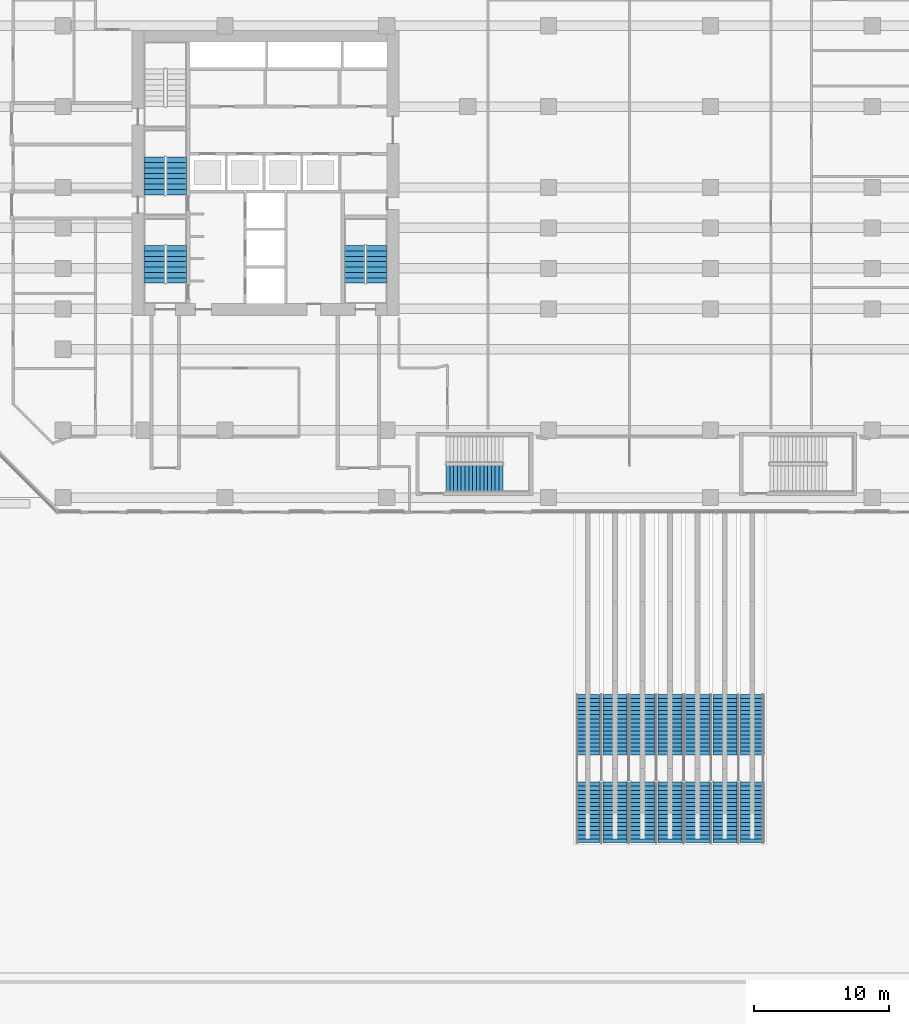
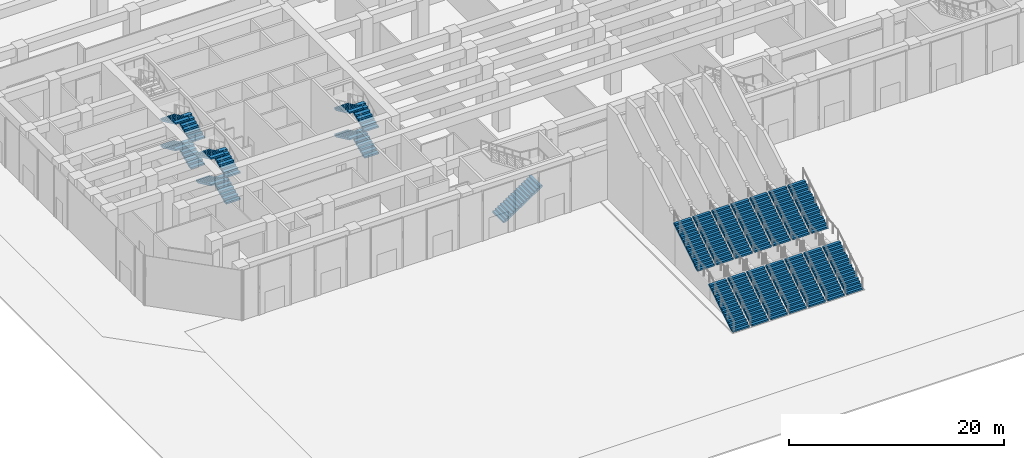
# One storey, part 25 of 32: 27 stair flights, 5 elements without a shape of their own.
"""IFC4 building model written with IfcOpenShell, lengths in metres."""

from ifc_helpers import new_model, si_unit, direction, frame, origin, place, context, subcontext, project, spatial, polyline, outline, extrude, material, type_object, element, aggregate, save


model = new_model("IFC4")

# Units and contexts
model_context = context("Model", 3, precision=1e-05, world=origin(), true_north=direction((0.0, 1.0)))
body_context = subcontext(model_context, "Body", "Model", "MODEL_VIEW")
ifc_project = project(units=[si_unit("LENGTHUNIT", "METRE"), si_unit("AREAUNIT", "SQUARE_METRE"), si_unit("VOLUMEUNIT", "CUBIC_METRE"), si_unit("PLANEANGLEUNIT", "RADIAN"), si_unit("MASSUNIT", "GRAM", prefix="KILO")], contexts=[model_context])

# Site, building, storey
site_placement = place(None, origin())
site = spatial("IfcSite", under=ifc_project, at=site_placement, CompositionType="ELEMENT")
building_placement = place(site_placement, origin())
building = spatial("IfcBuilding", under=site, at=building_placement, Name="Welwitschia Terrace Campus", CompositionType="ELEMENT")
storey_placement = place(building_placement, origin())
storey = spatial("IfcBuildingStorey", under=building, at=storey_placement, Name="L00", CompositionType="ELEMENT", Elevation=0.0)

# Stair, stair flights
ifc_material_1 = material(Name="Concrete C40/50", Category="concrete")
stair_type_1 = type_object("IfcStairType", Name="Entrance stair", PredefinedType="STRAIGHT_RUN_STAIR", material=ifc_material_1)
stair_1_placement = place(storey_placement, origin())
stair_1 = element("IfcStair", 1, at=stair_1_placement, inside=storey, type_object=stair_type_1, Name="Entrance stair to garden deck 1 of 2", PredefinedType="STRAIGHT_RUN_STAIR")
ifc_material_2 = material(Name="Concrete C40/50", Category="concrete")
stair_flight_type_1 = type_object("IfcStairFlightType", Name="Entrance stair flight 1786", PredefinedType="STRAIGHT", material=ifc_material_2)
stair_flight_1_placement = place(storey_placement, frame((38.892822265625, -34.60009765625, 0.0), z_axis=(0.0, 0.0, 1.0), x_axis=(0.0, 1.0, 0.0)))
stair_flight_1 = element("IfcStairFlight", 2, at=stair_flight_1_placement, type_object=stair_flight_type_1, Name="Entrance stair to garden deck 1 of 2 flight 1", NumberOfRisers=16, NumberOfTreads=15, PredefinedType="STRAIGHT", RiserHeight=0.1875, TreadLength=0.3, context=body_context, shape_type="SweptSolid", body=[
    extrude(outline(polyline([(0.0, 0.0), (0.0, 0.1875), (0.300048828125, 0.1875), (0.300048828125, 0.375), (0.60009765625, 0.375), (0.60009765625, 0.5625), (0.89990234375, 0.5625), (0.89990234375, 0.75), (1.199951171875, 0.75), (1.199951171875, 0.9375), (1.5, 0.9375), (1.5, 1.125), (1.800048828125, 1.125), (1.800048828125, 1.3125), (2.10009765625, 1.3125), (2.10009765625, 1.5), (2.39990234375, 1.5), (2.39990234375, 1.6875), (2.699951171875, 1.6875), (2.699951171875, 1.875), (3.0, 1.875), (3.0, 2.0625), (3.300048828125, 2.0625), (3.300048828125, 2.25), (3.60009765625, 2.25), (3.60009765625, 2.4375), (3.89990234375, 2.4375), (3.89990234375, 2.625), (4.199951171875, 2.625), (4.199951171875, 2.8125), (4.5, 2.8125), (4.5, 3.0), (4.5, 2.6357421875), (0.28271484375, 0.0), (0.0, 0.0)])), frame((0.0, 0.892822265625, 0.0), z_axis=(0.0, -1.0, 0.0), x_axis=(1.0, 0.0, 0.0)), (0.0, 0.0, 1.0), 1.78564453125),
])
stair_flight_2_placement = place(storey_placement, frame((40.9287109375, -34.60009765625, 0.0), z_axis=(0.0, 0.0, 1.0), x_axis=(0.0, 1.0, 0.0)))
stair_flight_2 = element("IfcStairFlight", 3, at=stair_flight_2_placement, type_object=stair_flight_type_1, Name="Entrance stair to garden deck 1 of 2 flight 2", NumberOfRisers=16, NumberOfTreads=15, PredefinedType="STRAIGHT", RiserHeight=0.1875, TreadLength=0.3, context=body_context, shape_type="SweptSolid", body=[
    extrude(outline(polyline([(0.0, 0.0), (0.0, 0.1875), (0.300048828125, 0.1875), (0.300048828125, 0.375), (0.60009765625, 0.375), (0.60009765625, 0.5625), (0.89990234375, 0.5625), (0.89990234375, 0.75), (1.199951171875, 0.75), (1.199951171875, 0.9375), (1.5, 0.9375), (1.5, 1.125), (1.800048828125, 1.125), (1.800048828125, 1.3125), (2.10009765625, 1.3125), (2.10009765625, 1.5), (2.39990234375, 1.5), (2.39990234375, 1.6875), (2.699951171875, 1.6875), (2.699951171875, 1.875), (3.0, 1.875), (3.0, 2.0625), (3.300048828125, 2.0625), (3.300048828125, 2.25), (3.60009765625, 2.25), (3.60009765625, 2.4375), (3.89990234375, 2.4375), (3.89990234375, 2.625), (4.199951171875, 2.625), (4.199951171875, 2.8125), (4.5, 2.8125), (4.5, 3.0), (4.5, 2.6357421875), (0.28271484375, 0.0), (0.0, 0.0)])), frame((0.0, 0.892822265625, 0.0), z_axis=(0.0, -1.0, 0.0), x_axis=(1.0, 0.0, 0.0)), (0.0, 0.0, 1.0), 1.78564453125),
])
stair_flight_3_placement = place(storey_placement, frame((42.96435546875, -34.60009765625, 0.0), z_axis=(0.0, 0.0, 1.0), x_axis=(0.0, 1.0, 0.0)))
stair_flight_3 = element("IfcStairFlight", 4, at=stair_flight_3_placement, type_object=stair_flight_type_1, Name="Entrance stair to garden deck 1 of 2 flight 3", NumberOfRisers=16, NumberOfTreads=15, PredefinedType="STRAIGHT", RiserHeight=0.1875, TreadLength=0.3, context=body_context, shape_type="SweptSolid", body=[
    extrude(outline(polyline([(0.0, 0.0), (0.0, 0.1875), (0.300048828125, 0.1875), (0.300048828125, 0.375), (0.60009765625, 0.375), (0.60009765625, 0.5625), (0.89990234375, 0.5625), (0.89990234375, 0.75), (1.199951171875, 0.75), (1.199951171875, 0.9375), (1.5, 0.9375), (1.5, 1.125), (1.800048828125, 1.125), (1.800048828125, 1.3125), (2.10009765625, 1.3125), (2.10009765625, 1.5), (2.39990234375, 1.5), (2.39990234375, 1.6875), (2.699951171875, 1.6875), (2.699951171875, 1.875), (3.0, 1.875), (3.0, 2.0625), (3.300048828125, 2.0625), (3.300048828125, 2.25), (3.60009765625, 2.25), (3.60009765625, 2.4375), (3.89990234375, 2.4375), (3.89990234375, 2.625), (4.199951171875, 2.625), (4.199951171875, 2.8125), (4.5, 2.8125), (4.5, 3.0), (4.5, 2.6357421875), (0.28271484375, 0.0), (0.0, 0.0)])), frame((0.0, 0.892822265625, 0.0), z_axis=(0.0, -1.0, 0.0), x_axis=(1.0, 0.0, 0.0)), (0.0, 0.0, 1.0), 1.78564453125),
])
stair_flight_4_placement = place(storey_placement, frame((45.0, -34.60009765625, 0.0), z_axis=(0.0, 0.0, 1.0), x_axis=(0.0, 1.0, 0.0)))
stair_flight_4 = element("IfcStairFlight", 5, at=stair_flight_4_placement, type_object=stair_flight_type_1, Name="Entrance stair to garden deck 1 of 2 flight 4", NumberOfRisers=16, NumberOfTreads=15, PredefinedType="STRAIGHT", RiserHeight=0.1875, TreadLength=0.3, context=body_context, shape_type="SweptSolid", body=[
    extrude(outline(polyline([(0.0, 0.0), (0.0, 0.1875), (0.300048828125, 0.1875), (0.300048828125, 0.375), (0.60009765625, 0.375), (0.60009765625, 0.5625), (0.89990234375, 0.5625), (0.89990234375, 0.75), (1.199951171875, 0.75), (1.199951171875, 0.9375), (1.5, 0.9375), (1.5, 1.125), (1.800048828125, 1.125), (1.800048828125, 1.3125), (2.10009765625, 1.3125), (2.10009765625, 1.5), (2.39990234375, 1.5), (2.39990234375, 1.6875), (2.699951171875, 1.6875), (2.699951171875, 1.875), (3.0, 1.875), (3.0, 2.0625), (3.300048828125, 2.0625), (3.300048828125, 2.25), (3.60009765625, 2.25), (3.60009765625, 2.4375), (3.89990234375, 2.4375), (3.89990234375, 2.625), (4.199951171875, 2.625), (4.199951171875, 2.8125), (4.5, 2.8125), (4.5, 3.0), (4.5, 2.6357421875), (0.28271484375, 0.0), (0.0, 0.0)])), frame((0.0, 0.892822265625, 0.0), z_axis=(0.0, -1.0, 0.0), x_axis=(1.0, 0.0, 0.0)), (0.0, 0.0, 1.0), 1.78564453125),
])
stair_flight_5_placement = place(storey_placement, frame((47.03564453125, -34.60009765625, 0.0), z_axis=(0.0, 0.0, 1.0), x_axis=(0.0, 1.0, 0.0)))
stair_flight_5 = element("IfcStairFlight", 6, at=stair_flight_5_placement, type_object=stair_flight_type_1, Name="Entrance stair to garden deck 1 of 2 flight 5", NumberOfRisers=16, NumberOfTreads=15, PredefinedType="STRAIGHT", RiserHeight=0.1875, TreadLength=0.3, context=body_context, shape_type="SweptSolid", body=[
    extrude(outline(polyline([(0.0, 0.0), (0.0, 0.1875), (0.300048828125, 0.1875), (0.300048828125, 0.375), (0.60009765625, 0.375), (0.60009765625, 0.5625), (0.89990234375, 0.5625), (0.89990234375, 0.75), (1.199951171875, 0.75), (1.199951171875, 0.9375), (1.5, 0.9375), (1.5, 1.125), (1.800048828125, 1.125), (1.800048828125, 1.3125), (2.10009765625, 1.3125), (2.10009765625, 1.5), (2.39990234375, 1.5), (2.39990234375, 1.6875), (2.699951171875, 1.6875), (2.699951171875, 1.875), (3.0, 1.875), (3.0, 2.0625), (3.300048828125, 2.0625), (3.300048828125, 2.25), (3.60009765625, 2.25), (3.60009765625, 2.4375), (3.89990234375, 2.4375), (3.89990234375, 2.625), (4.199951171875, 2.625), (4.199951171875, 2.8125), (4.5, 2.8125), (4.5, 3.0), (4.5, 2.6357421875), (0.28271484375, 0.0), (0.0, 0.0)])), frame((0.0, 0.892822265625, 0.0), z_axis=(0.0, -1.0, 0.0), x_axis=(1.0, 0.0, 0.0)), (0.0, 0.0, 1.0), 1.78564453125),
])
stair_flight_6_placement = place(storey_placement, frame((49.0712890625, -34.60009765625, 0.0), z_axis=(0.0, 0.0, 1.0), x_axis=(0.0, 1.0, 0.0)))
stair_flight_6 = element("IfcStairFlight", 7, at=stair_flight_6_placement, type_object=stair_flight_type_1, Name="Entrance stair to garden deck 1 of 2 flight 6", NumberOfRisers=16, NumberOfTreads=15, PredefinedType="STRAIGHT", RiserHeight=0.1875, TreadLength=0.3, context=body_context, shape_type="SweptSolid", body=[
    extrude(outline(polyline([(0.0, 0.0), (0.0, 0.1875), (0.300048828125, 0.1875), (0.300048828125, 0.375), (0.60009765625, 0.375), (0.60009765625, 0.5625), (0.89990234375, 0.5625), (0.89990234375, 0.75), (1.199951171875, 0.75), (1.199951171875, 0.9375), (1.5, 0.9375), (1.5, 1.125), (1.800048828125, 1.125), (1.800048828125, 1.3125), (2.10009765625, 1.3125), (2.10009765625, 1.5), (2.39990234375, 1.5), (2.39990234375, 1.6875), (2.699951171875, 1.6875), (2.699951171875, 1.875), (3.0, 1.875), (3.0, 2.0625), (3.300048828125, 2.0625), (3.300048828125, 2.25), (3.60009765625, 2.25), (3.60009765625, 2.4375), (3.89990234375, 2.4375), (3.89990234375, 2.625), (4.199951171875, 2.625), (4.199951171875, 2.8125), (4.5, 2.8125), (4.5, 3.0), (4.5, 2.6357421875), (0.28271484375, 0.0), (0.0, 0.0)])), frame((0.0, 0.892822265625, 0.0), z_axis=(0.0, -1.0, 0.0), x_axis=(1.0, 0.0, 0.0)), (0.0, 0.0, 1.0), 1.78564453125),
])
stair_flight_7_placement = place(storey_placement, frame((51.107177734375, -34.60009765625, 0.0), z_axis=(0.0, 0.0, 1.0), x_axis=(0.0, 1.0, 0.0)))
stair_flight_7 = element("IfcStairFlight", 8, at=stair_flight_7_placement, type_object=stair_flight_type_1, Name="Entrance stair to garden deck 1 of 2 flight 7", NumberOfRisers=16, NumberOfTreads=15, PredefinedType="STRAIGHT", RiserHeight=0.1875, TreadLength=0.3, context=body_context, shape_type="SweptSolid", body=[
    extrude(outline(polyline([(0.0, 0.0), (0.0, 0.1875), (0.300048828125, 0.1875), (0.300048828125, 0.375), (0.60009765625, 0.375), (0.60009765625, 0.5625), (0.89990234375, 0.5625), (0.89990234375, 0.75), (1.199951171875, 0.75), (1.199951171875, 0.9375), (1.5, 0.9375), (1.5, 1.125), (1.800048828125, 1.125), (1.800048828125, 1.3125), (2.10009765625, 1.3125), (2.10009765625, 1.5), (2.39990234375, 1.5), (2.39990234375, 1.6875), (2.699951171875, 1.6875), (2.699951171875, 1.875), (3.0, 1.875), (3.0, 2.0625), (3.300048828125, 2.0625), (3.300048828125, 2.25), (3.60009765625, 2.25), (3.60009765625, 2.4375), (3.89990234375, 2.4375), (3.89990234375, 2.625), (4.199951171875, 2.625), (4.199951171875, 2.8125), (4.5, 2.8125), (4.5, 3.0), (4.5, 2.6357421875), (0.28271484375, 0.0), (0.0, 0.0)])), frame((0.0, 0.892822265625, 0.0), z_axis=(0.0, -1.0, 0.0), x_axis=(1.0, 0.0, 0.0)), (0.0, 0.0, 1.0), 1.78564453125),
])
stair_flight_8_placement = place(storey_placement, frame((38.892822265625, -28.10009765625, 3.0), z_axis=(0.0, 0.0, 1.0), x_axis=(0.0, 1.0, 0.0)))
stair_flight_8 = element("IfcStairFlight", 9, at=stair_flight_8_placement, type_object=stair_flight_type_1, Name="Entrance stair to garden deck 1 of 2 flight 8", NumberOfRisers=16, NumberOfTreads=15, PredefinedType="STRAIGHT", RiserHeight=0.1875, TreadLength=0.3, context=body_context, shape_type="SweptSolid", body=[
    extrude(outline(polyline([(0.0, 0.0), (0.0, 0.1875), (0.300048828125, 0.1875), (0.300048828125, 0.375), (0.60009765625, 0.375), (0.60009765625, 0.5625), (0.89990234375, 0.5625), (0.89990234375, 0.75), (1.199951171875, 0.75), (1.199951171875, 0.9375), (1.5, 0.9375), (1.5, 1.125), (1.800048828125, 1.125), (1.800048828125, 1.3125), (2.10009765625, 1.3125), (2.10009765625, 1.5), (2.39990234375, 1.5), (2.39990234375, 1.6875), (2.699951171875, 1.6875), (2.699951171875, 1.875), (3.0, 1.875), (3.0, 2.0625), (3.300048828125, 2.0625), (3.300048828125, 2.25), (3.60009765625, 2.25), (3.60009765625, 2.4375), (3.89990234375, 2.4375), (3.89990234375, 2.625), (4.199951171875, 2.625), (4.199951171875, 2.8125), (4.5, 2.8125), (4.5, 3.0), (4.5, 2.6357421875), (0.28271484375, 0.0), (0.0, 0.0)])), frame((0.0, 0.892822265625, 0.0), z_axis=(0.0, -1.0, 0.0), x_axis=(1.0, 0.0, 0.0)), (0.0, 0.0, 1.0), 1.78564453125),
])
stair_flight_9_placement = place(storey_placement, frame((40.9287109375, -28.10009765625, 3.0), z_axis=(0.0, 0.0, 1.0), x_axis=(0.0, 1.0, 0.0)))
stair_flight_9 = element("IfcStairFlight", 10, at=stair_flight_9_placement, type_object=stair_flight_type_1, Name="Entrance stair to garden deck 1 of 2 flight 9", NumberOfRisers=16, NumberOfTreads=15, PredefinedType="STRAIGHT", RiserHeight=0.1875, TreadLength=0.3, context=body_context, shape_type="SweptSolid", body=[
    extrude(outline(polyline([(0.0, 0.0), (0.0, 0.1875), (0.300048828125, 0.1875), (0.300048828125, 0.375), (0.60009765625, 0.375), (0.60009765625, 0.5625), (0.89990234375, 0.5625), (0.89990234375, 0.75), (1.199951171875, 0.75), (1.199951171875, 0.9375), (1.5, 0.9375), (1.5, 1.125), (1.800048828125, 1.125), (1.800048828125, 1.3125), (2.10009765625, 1.3125), (2.10009765625, 1.5), (2.39990234375, 1.5), (2.39990234375, 1.6875), (2.699951171875, 1.6875), (2.699951171875, 1.875), (3.0, 1.875), (3.0, 2.0625), (3.300048828125, 2.0625), (3.300048828125, 2.25), (3.60009765625, 2.25), (3.60009765625, 2.4375), (3.89990234375, 2.4375), (3.89990234375, 2.625), (4.199951171875, 2.625), (4.199951171875, 2.8125), (4.5, 2.8125), (4.5, 3.0), (4.5, 2.6357421875), (0.28271484375, 0.0), (0.0, 0.0)])), frame((0.0, 0.892822265625, 0.0), z_axis=(0.0, -1.0, 0.0), x_axis=(1.0, 0.0, 0.0)), (0.0, 0.0, 1.0), 1.78564453125),
])
stair_flight_10_placement = place(storey_placement, frame((42.96435546875, -28.10009765625, 3.0), z_axis=(0.0, 0.0, 1.0), x_axis=(0.0, 1.0, 0.0)))
stair_flight_10 = element("IfcStairFlight", 11, at=stair_flight_10_placement, type_object=stair_flight_type_1, Name="Entrance stair to garden deck 1 of 2 flight 10", NumberOfRisers=16, NumberOfTreads=15, PredefinedType="STRAIGHT", RiserHeight=0.1875, TreadLength=0.3, context=body_context, shape_type="SweptSolid", body=[
    extrude(outline(polyline([(0.0, 0.0), (0.0, 0.1875), (0.300048828125, 0.1875), (0.300048828125, 0.375), (0.60009765625, 0.375), (0.60009765625, 0.5625), (0.89990234375, 0.5625), (0.89990234375, 0.75), (1.199951171875, 0.75), (1.199951171875, 0.9375), (1.5, 0.9375), (1.5, 1.125), (1.800048828125, 1.125), (1.800048828125, 1.3125), (2.10009765625, 1.3125), (2.10009765625, 1.5), (2.39990234375, 1.5), (2.39990234375, 1.6875), (2.699951171875, 1.6875), (2.699951171875, 1.875), (3.0, 1.875), (3.0, 2.0625), (3.300048828125, 2.0625), (3.300048828125, 2.25), (3.60009765625, 2.25), (3.60009765625, 2.4375), (3.89990234375, 2.4375), (3.89990234375, 2.625), (4.199951171875, 2.625), (4.199951171875, 2.8125), (4.5, 2.8125), (4.5, 3.0), (4.5, 2.6357421875), (0.28271484375, 0.0), (0.0, 0.0)])), frame((0.0, 0.892822265625, 0.0), z_axis=(0.0, -1.0, 0.0), x_axis=(1.0, 0.0, 0.0)), (0.0, 0.0, 1.0), 1.78564453125),
])
stair_flight_11_placement = place(storey_placement, frame((45.0, -28.10009765625, 3.0), z_axis=(0.0, 0.0, 1.0), x_axis=(0.0, 1.0, 0.0)))
stair_flight_11 = element("IfcStairFlight", 12, at=stair_flight_11_placement, type_object=stair_flight_type_1, Name="Entrance stair to garden deck 1 of 2 flight 11", NumberOfRisers=16, NumberOfTreads=15, PredefinedType="STRAIGHT", RiserHeight=0.1875, TreadLength=0.3, context=body_context, shape_type="SweptSolid", body=[
    extrude(outline(polyline([(0.0, 0.0), (0.0, 0.1875), (0.300048828125, 0.1875), (0.300048828125, 0.375), (0.60009765625, 0.375), (0.60009765625, 0.5625), (0.89990234375, 0.5625), (0.89990234375, 0.75), (1.199951171875, 0.75), (1.199951171875, 0.9375), (1.5, 0.9375), (1.5, 1.125), (1.800048828125, 1.125), (1.800048828125, 1.3125), (2.10009765625, 1.3125), (2.10009765625, 1.5), (2.39990234375, 1.5), (2.39990234375, 1.6875), (2.699951171875, 1.6875), (2.699951171875, 1.875), (3.0, 1.875), (3.0, 2.0625), (3.300048828125, 2.0625), (3.300048828125, 2.25), (3.60009765625, 2.25), (3.60009765625, 2.4375), (3.89990234375, 2.4375), (3.89990234375, 2.625), (4.199951171875, 2.625), (4.199951171875, 2.8125), (4.5, 2.8125), (4.5, 3.0), (4.5, 2.6357421875), (0.28271484375, 0.0), (0.0, 0.0)])), frame((0.0, 0.892822265625, 0.0), z_axis=(0.0, -1.0, 0.0), x_axis=(1.0, 0.0, 0.0)), (0.0, 0.0, 1.0), 1.78564453125),
])
stair_flight_12_placement = place(storey_placement, frame((47.03564453125, -28.10009765625, 3.0), z_axis=(0.0, 0.0, 1.0), x_axis=(0.0, 1.0, 0.0)))
stair_flight_12 = element("IfcStairFlight", 13, at=stair_flight_12_placement, type_object=stair_flight_type_1, Name="Entrance stair to garden deck 1 of 2 flight 12", NumberOfRisers=16, NumberOfTreads=15, PredefinedType="STRAIGHT", RiserHeight=0.1875, TreadLength=0.3, context=body_context, shape_type="SweptSolid", body=[
    extrude(outline(polyline([(0.0, 0.0), (0.0, 0.1875), (0.300048828125, 0.1875), (0.300048828125, 0.375), (0.60009765625, 0.375), (0.60009765625, 0.5625), (0.89990234375, 0.5625), (0.89990234375, 0.75), (1.199951171875, 0.75), (1.199951171875, 0.9375), (1.5, 0.9375), (1.5, 1.125), (1.800048828125, 1.125), (1.800048828125, 1.3125), (2.10009765625, 1.3125), (2.10009765625, 1.5), (2.39990234375, 1.5), (2.39990234375, 1.6875), (2.699951171875, 1.6875), (2.699951171875, 1.875), (3.0, 1.875), (3.0, 2.0625), (3.300048828125, 2.0625), (3.300048828125, 2.25), (3.60009765625, 2.25), (3.60009765625, 2.4375), (3.89990234375, 2.4375), (3.89990234375, 2.625), (4.199951171875, 2.625), (4.199951171875, 2.8125), (4.5, 2.8125), (4.5, 3.0), (4.5, 2.6357421875), (0.28271484375, 0.0), (0.0, 0.0)])), frame((0.0, 0.892822265625, 0.0), z_axis=(0.0, -1.0, 0.0), x_axis=(1.0, 0.0, 0.0)), (0.0, 0.0, 1.0), 1.78564453125),
])
stair_flight_13_placement = place(storey_placement, frame((49.0712890625, -28.10009765625, 3.0), z_axis=(0.0, 0.0, 1.0), x_axis=(0.0, 1.0, 0.0)))
stair_flight_13 = element("IfcStairFlight", 14, at=stair_flight_13_placement, type_object=stair_flight_type_1, Name="Entrance stair to garden deck 1 of 2 flight 13", NumberOfRisers=16, NumberOfTreads=15, PredefinedType="STRAIGHT", RiserHeight=0.1875, TreadLength=0.3, context=body_context, shape_type="SweptSolid", body=[
    extrude(outline(polyline([(0.0, 0.0), (0.0, 0.1875), (0.300048828125, 0.1875), (0.300048828125, 0.375), (0.60009765625, 0.375), (0.60009765625, 0.5625), (0.89990234375, 0.5625), (0.89990234375, 0.75), (1.199951171875, 0.75), (1.199951171875, 0.9375), (1.5, 0.9375), (1.5, 1.125), (1.800048828125, 1.125), (1.800048828125, 1.3125), (2.10009765625, 1.3125), (2.10009765625, 1.5), (2.39990234375, 1.5), (2.39990234375, 1.6875), (2.699951171875, 1.6875), (2.699951171875, 1.875), (3.0, 1.875), (3.0, 2.0625), (3.300048828125, 2.0625), (3.300048828125, 2.25), (3.60009765625, 2.25), (3.60009765625, 2.4375), (3.89990234375, 2.4375), (3.89990234375, 2.625), (4.199951171875, 2.625), (4.199951171875, 2.8125), (4.5, 2.8125), (4.5, 3.0), (4.5, 2.6357421875), (0.28271484375, 0.0), (0.0, 0.0)])), frame((0.0, 0.892822265625, 0.0), z_axis=(0.0, -1.0, 0.0), x_axis=(1.0, 0.0, 0.0)), (0.0, 0.0, 1.0), 1.78564453125),
])
stair_flight_14_placement = place(storey_placement, frame((51.107177734375, -28.10009765625, 3.0), z_axis=(0.0, 0.0, 1.0), x_axis=(0.0, 1.0, 0.0)))
stair_flight_14 = element("IfcStairFlight", 15, at=stair_flight_14_placement, type_object=stair_flight_type_1, Name="Entrance stair to garden deck 1 of 2 flight 14", NumberOfRisers=16, NumberOfTreads=15, PredefinedType="STRAIGHT", RiserHeight=0.1875, TreadLength=0.3, context=body_context, shape_type="SweptSolid", body=[
    extrude(outline(polyline([(0.0, 0.0), (0.0, 0.1875), (0.300048828125, 0.1875), (0.300048828125, 0.375), (0.60009765625, 0.375), (0.60009765625, 0.5625), (0.89990234375, 0.5625), (0.89990234375, 0.75), (1.199951171875, 0.75), (1.199951171875, 0.9375), (1.5, 0.9375), (1.5, 1.125), (1.800048828125, 1.125), (1.800048828125, 1.3125), (2.10009765625, 1.3125), (2.10009765625, 1.5), (2.39990234375, 1.5), (2.39990234375, 1.6875), (2.699951171875, 1.6875), (2.699951171875, 1.875), (3.0, 1.875), (3.0, 2.0625), (3.300048828125, 2.0625), (3.300048828125, 2.25), (3.60009765625, 2.25), (3.60009765625, 2.4375), (3.89990234375, 2.4375), (3.89990234375, 2.625), (4.199951171875, 2.625), (4.199951171875, 2.8125), (4.5, 2.8125), (4.5, 3.0), (4.5, 2.6357421875), (0.28271484375, 0.0), (0.0, 0.0)])), frame((0.0, 0.892822265625, 0.0), z_axis=(0.0, -1.0, 0.0), x_axis=(1.0, 0.0, 0.0)), (0.0, 0.0, 1.0), 1.78564453125),
])
aggregate(stair_1, [stair_flight_1, stair_flight_2, stair_flight_3, stair_flight_4, stair_flight_5, stair_flight_6, stair_flight_7, stair_flight_8, stair_flight_9, stair_flight_10, stair_flight_11, stair_flight_12, stair_flight_13, stair_flight_14])

ifc_material_3 = material(Name="Concrete C40/50", Category="concrete")
stair_type_2 = type_object("IfcStairType", Name="Stair 32R 188 W1500", PredefinedType="HALF_TURN_STAIR", material=ifc_material_3)
stair_2_placement = place(storey_placement, origin())
stair_2 = element("IfcStair", 16, at=stair_2_placement, inside=storey, type_object=stair_type_2, Name="L00 Exit stair S1", PredefinedType="HALF_TURN_STAIR")
ifc_material_4 = material(Name="Concrete C40/50", Category="concrete")
stair_flight_type_2 = type_object("IfcStairFlightType", Name="Stair flight 32R 188 W1500", PredefinedType="STRAIGHT", material=ifc_material_4)
stair_flight_15_placement = place(storey_placement, frame((8.39990234375, 6.89990234375, 0.0), z_axis=(0.0, 0.0, 1.0), x_axis=(0.0, 1.0, 0.0)))
stair_flight_15 = element("IfcStairFlight", 17, at=stair_flight_15_placement, type_object=stair_flight_type_2, Name="S1 flight 1", NumberOfRisers=8, NumberOfTreads=7, PredefinedType="STRAIGHT", RiserHeight=0.1875, TreadLength=0.4, context=body_context, shape_type="SweptSolid", body=[
    extrude(outline(polyline([(0.0, 0.0), (0.0, 0.1875), (0.39990234375, 0.1875), (0.39990234375, 0.375), (0.800048828125, 0.375), (0.800048828125, 0.5625), (1.199951171875, 0.5625), (1.199951171875, 0.75), (1.60009765625, 0.75), (1.60009765625, 0.9375), (2.0, 0.9375), (2.0, 1.125), (2.39990234375, 1.125), (2.39990234375, 1.3125), (2.800048828125, 1.3125), (2.800048828125, 1.5), (2.800048828125, 1.14697265625), (0.353271484375, 0.0), (0.0, 0.0)])), frame((0.0, 0.75, 0.0), z_axis=(0.0, -1.0, 0.0), x_axis=(1.0, 0.0, 0.0)), (0.0, 0.0, 1.0), 1.5),
])
stair_flight_16_placement = place(storey_placement, frame((6.75, 9.699951171875, 1.5), z_axis=(0.0, 0.0, 1.0), x_axis=(0.0, -1.0, 0.0)))
stair_flight_16 = element("IfcStairFlight", 18, at=stair_flight_16_placement, type_object=stair_flight_type_2, Name="S1 flight 2", NumberOfRisers=8, NumberOfTreads=7, PredefinedType="STRAIGHT", RiserHeight=0.1875, TreadLength=0.4, context=body_context, shape_type="SweptSolid", body=[
    extrude(outline(polyline([(0.0, 0.0), (0.0, 0.1875), (0.39990234375, 0.1875), (0.39990234375, 0.375), (0.800048828125, 0.375), (0.800048828125, 0.5625), (1.199951171875, 0.5625), (1.199951171875, 0.75), (1.60009765625, 0.75), (1.60009765625, 0.9375), (2.0, 0.9375), (2.0, 1.125), (2.39990234375, 1.125), (2.39990234375, 1.3125), (2.800048828125, 1.3125), (2.800048828125, 1.5), (2.800048828125, 1.14697265625), (0.353271484375, 0.0), (0.0, 0.0)])), frame((0.0, 0.75, 0.0), z_axis=(0.0, -1.0, 0.0), x_axis=(1.0, 0.0, 0.0)), (0.0, 0.0, 1.0), 1.5),
])
stair_flight_17_placement = place(storey_placement, frame((8.39990234375, 6.89990234375, 3.0), z_axis=(0.0, 0.0, 1.0), x_axis=(0.0, 1.0, 0.0)))
stair_flight_17 = element("IfcStairFlight", 19, at=stair_flight_17_placement, type_object=stair_flight_type_2, Name="S1 flight 3", NumberOfRisers=8, NumberOfTreads=7, PredefinedType="STRAIGHT", RiserHeight=0.1875, TreadLength=0.4, context=body_context, shape_type="SweptSolid", body=[
    extrude(outline(polyline([(0.0, 0.0), (0.0, 0.1875), (0.39990234375, 0.1875), (0.39990234375, 0.375), (0.800048828125, 0.375), (0.800048828125, 0.5625), (1.199951171875, 0.5625), (1.199951171875, 0.75), (1.60009765625, 0.75), (1.60009765625, 0.9375), (2.0, 0.9375), (2.0, 1.125), (2.39990234375, 1.125), (2.39990234375, 1.3125), (2.800048828125, 1.3125), (2.800048828125, 1.5), (2.800048828125, 1.14697265625), (0.353271484375, 0.0), (0.0, 0.0)])), frame((0.0, 0.75, 0.0), z_axis=(0.0, -1.0, 0.0), x_axis=(1.0, 0.0, 0.0)), (0.0, 0.0, 1.0), 1.5),
])
stair_flight_18_placement = place(storey_placement, frame((6.75, 9.699951171875, 4.5), z_axis=(0.0, 0.0, 1.0), x_axis=(0.0, -1.0, 0.0)))
stair_flight_18 = element("IfcStairFlight", 20, at=stair_flight_18_placement, type_object=stair_flight_type_2, Name="S1 flight 4", NumberOfRisers=8, NumberOfTreads=7, PredefinedType="STRAIGHT", RiserHeight=0.1875, TreadLength=0.4, context=body_context, shape_type="SweptSolid", body=[
    extrude(outline(polyline([(0.0, 0.0), (0.0, 0.1875), (0.39990234375, 0.1875), (0.39990234375, 0.375), (0.800048828125, 0.375), (0.800048828125, 0.5625), (1.199951171875, 0.5625), (1.199951171875, 0.75), (1.60009765625, 0.75), (1.60009765625, 0.9375), (2.0, 0.9375), (2.0, 1.125), (2.39990234375, 1.125), (2.39990234375, 1.3125), (2.800048828125, 1.3125), (2.800048828125, 1.5), (2.800048828125, 1.14697265625), (0.353271484375, 0.0), (0.0, 0.0)])), frame((0.0, 0.75, 0.0), z_axis=(0.0, -1.0, 0.0), x_axis=(1.0, 0.0, 0.0)), (0.0, 0.0, 1.0), 1.5),
])
aggregate(stair_2, [stair_flight_15, stair_flight_16, stair_flight_17, stair_flight_18])

stair_3_placement = place(storey_placement, origin())
stair_3 = element("IfcStair", 21, at=stair_3_placement, inside=storey, type_object=stair_type_2, Name="L00 Exit stair S3", PredefinedType="HALF_TURN_STAIR")
stair_flight_19_placement = place(storey_placement, frame((8.39990234375, 13.449951171875, 0.0), z_axis=(0.0, 0.0, 1.0), x_axis=(0.0, 1.0, 0.0)))
stair_flight_19 = element("IfcStairFlight", 22, at=stair_flight_19_placement, type_object=stair_flight_type_2, Name="S3 flight 1", NumberOfRisers=8, NumberOfTreads=7, PredefinedType="STRAIGHT", RiserHeight=0.1875, TreadLength=0.4, context=body_context, shape_type="SweptSolid", body=[
    extrude(outline(polyline([(0.0, 0.0), (0.0, 0.1875), (0.39990234375, 0.1875), (0.39990234375, 0.375), (0.800048828125, 0.375), (0.800048828125, 0.5625), (1.199951171875, 0.5625), (1.199951171875, 0.75), (1.60009765625, 0.75), (1.60009765625, 0.9375), (2.0, 0.9375), (2.0, 1.125), (2.39990234375, 1.125), (2.39990234375, 1.3125), (2.800048828125, 1.3125), (2.800048828125, 1.5), (2.800048828125, 1.14697265625), (0.353271484375, 0.0), (0.0, 0.0)])), frame((0.0, 0.75, 0.0), z_axis=(0.0, -1.0, 0.0), x_axis=(1.0, 0.0, 0.0)), (0.0, 0.0, 1.0), 1.5),
])
stair_flight_20_placement = place(storey_placement, frame((6.75, 16.25, 1.5), z_axis=(0.0, 0.0, 1.0), x_axis=(0.0, -1.0, 0.0)))
stair_flight_20 = element("IfcStairFlight", 23, at=stair_flight_20_placement, type_object=stair_flight_type_2, Name="S3 flight 2", NumberOfRisers=8, NumberOfTreads=7, PredefinedType="STRAIGHT", RiserHeight=0.1875, TreadLength=0.4, context=body_context, shape_type="SweptSolid", body=[
    extrude(outline(polyline([(0.0, 0.0), (0.0, 0.1875), (0.39990234375, 0.1875), (0.39990234375, 0.375), (0.800048828125, 0.375), (0.800048828125, 0.5625), (1.199951171875, 0.5625), (1.199951171875, 0.75), (1.60009765625, 0.75), (1.60009765625, 0.9375), (2.0, 0.9375), (2.0, 1.125), (2.39990234375, 1.125), (2.39990234375, 1.3125), (2.800048828125, 1.3125), (2.800048828125, 1.5), (2.800048828125, 1.14697265625), (0.353271484375, 0.0), (0.0, 0.0)])), frame((0.0, 0.75, 0.0), z_axis=(0.0, -1.0, 0.0), x_axis=(1.0, 0.0, 0.0)), (0.0, 0.0, 1.0), 1.5),
])
stair_flight_21_placement = place(storey_placement, frame((8.39990234375, 13.449951171875, 3.0), z_axis=(0.0, 0.0, 1.0), x_axis=(0.0, 1.0, 0.0)))
stair_flight_21 = element("IfcStairFlight", 24, at=stair_flight_21_placement, type_object=stair_flight_type_2, Name="S3 flight 3", NumberOfRisers=8, NumberOfTreads=7, PredefinedType="STRAIGHT", RiserHeight=0.1875, TreadLength=0.4, context=body_context, shape_type="SweptSolid", body=[
    extrude(outline(polyline([(0.0, 0.0), (0.0, 0.1875), (0.39990234375, 0.1875), (0.39990234375, 0.375), (0.800048828125, 0.375), (0.800048828125, 0.5625), (1.199951171875, 0.5625), (1.199951171875, 0.75), (1.60009765625, 0.75), (1.60009765625, 0.9375), (2.0, 0.9375), (2.0, 1.125), (2.39990234375, 1.125), (2.39990234375, 1.3125), (2.800048828125, 1.3125), (2.800048828125, 1.5), (2.800048828125, 1.14697265625), (0.353271484375, 0.0), (0.0, 0.0)])), frame((0.0, 0.75, 0.0), z_axis=(0.0, -1.0, 0.0), x_axis=(1.0, 0.0, 0.0)), (0.0, 0.0, 1.0), 1.5),
])
stair_flight_22_placement = place(storey_placement, frame((6.75, 16.25, 4.5), z_axis=(0.0, 0.0, 1.0), x_axis=(0.0, -1.0, 0.0)))
stair_flight_22 = element("IfcStairFlight", 25, at=stair_flight_22_placement, type_object=stair_flight_type_2, Name="S3 flight 4", NumberOfRisers=8, NumberOfTreads=7, PredefinedType="STRAIGHT", RiserHeight=0.1875, TreadLength=0.4, context=body_context, shape_type="SweptSolid", body=[
    extrude(outline(polyline([(0.0, 0.0), (0.0, 0.1875), (0.39990234375, 0.1875), (0.39990234375, 0.375), (0.800048828125, 0.375), (0.800048828125, 0.5625), (1.199951171875, 0.5625), (1.199951171875, 0.75), (1.60009765625, 0.75), (1.60009765625, 0.9375), (2.0, 0.9375), (2.0, 1.125), (2.39990234375, 1.125), (2.39990234375, 1.3125), (2.800048828125, 1.3125), (2.800048828125, 1.5), (2.800048828125, 1.14697265625), (0.353271484375, 0.0), (0.0, 0.0)])), frame((0.0, 0.75, 0.0), z_axis=(0.0, -1.0, 0.0), x_axis=(1.0, 0.0, 0.0)), (0.0, 0.0, 1.0), 1.5),
])
aggregate(stair_3, [stair_flight_19, stair_flight_20, stair_flight_21, stair_flight_22])

stair_4_placement = place(storey_placement, origin())
stair_4 = element("IfcStair", 26, at=stair_4_placement, inside=storey, type_object=stair_type_2, Name="L00 Exit stair S2", PredefinedType="HALF_TURN_STAIR")
stair_flight_23_placement = place(storey_placement, frame((23.25, 6.89990234375, 0.0), z_axis=(0.0, 0.0, 1.0), x_axis=(0.0, 1.0, 0.0)))
stair_flight_23 = element("IfcStairFlight", 27, at=stair_flight_23_placement, type_object=stair_flight_type_2, Name="S2 flight 1", NumberOfRisers=8, NumberOfTreads=7, PredefinedType="STRAIGHT", RiserHeight=0.1875, TreadLength=0.4, context=body_context, shape_type="SweptSolid", body=[
    extrude(outline(polyline([(0.0, 0.0), (0.0, 0.1875), (0.39990234375, 0.1875), (0.39990234375, 0.375), (0.800048828125, 0.375), (0.800048828125, 0.5625), (1.199951171875, 0.5625), (1.199951171875, 0.75), (1.60009765625, 0.75), (1.60009765625, 0.9375), (2.0, 0.9375), (2.0, 1.125), (2.39990234375, 1.125), (2.39990234375, 1.3125), (2.800048828125, 1.3125), (2.800048828125, 1.5), (2.800048828125, 1.14697265625), (0.353271484375, 0.0), (0.0, 0.0)])), frame((0.0, 0.75, 0.0), z_axis=(0.0, -1.0, 0.0), x_axis=(1.0, 0.0, 0.0)), (0.0, 0.0, 1.0), 1.5),
])
stair_flight_24_placement = place(storey_placement, frame((21.60009765625, 9.699951171875, 1.5), z_axis=(0.0, 0.0, 1.0), x_axis=(0.0, -1.0, 0.0)))
stair_flight_24 = element("IfcStairFlight", 28, at=stair_flight_24_placement, type_object=stair_flight_type_2, Name="S2 flight 2", NumberOfRisers=8, NumberOfTreads=7, PredefinedType="STRAIGHT", RiserHeight=0.1875, TreadLength=0.4, context=body_context, shape_type="SweptSolid", body=[
    extrude(outline(polyline([(0.0, 0.0), (0.0, 0.1875), (0.39990234375, 0.1875), (0.39990234375, 0.375), (0.800048828125, 0.375), (0.800048828125, 0.5625), (1.199951171875, 0.5625), (1.199951171875, 0.75), (1.60009765625, 0.75), (1.60009765625, 0.9375), (2.0, 0.9375), (2.0, 1.125), (2.39990234375, 1.125), (2.39990234375, 1.3125), (2.800048828125, 1.3125), (2.800048828125, 1.5), (2.800048828125, 1.14697265625), (0.353271484375, 0.0), (0.0, 0.0)])), frame((0.0, 0.75, 0.0), z_axis=(0.0, -1.0, 0.0), x_axis=(1.0, 0.0, 0.0)), (0.0, 0.0, 1.0), 1.5),
])
stair_flight_25_placement = place(storey_placement, frame((23.25, 6.89990234375, 3.0), z_axis=(0.0, 0.0, 1.0), x_axis=(0.0, 1.0, 0.0)))
stair_flight_25 = element("IfcStairFlight", 29, at=stair_flight_25_placement, type_object=stair_flight_type_2, Name="S2 flight 3", NumberOfRisers=8, NumberOfTreads=7, PredefinedType="STRAIGHT", RiserHeight=0.1875, TreadLength=0.4, context=body_context, shape_type="SweptSolid", body=[
    extrude(outline(polyline([(0.0, 0.0), (0.0, 0.1875), (0.39990234375, 0.1875), (0.39990234375, 0.375), (0.800048828125, 0.375), (0.800048828125, 0.5625), (1.199951171875, 0.5625), (1.199951171875, 0.75), (1.60009765625, 0.75), (1.60009765625, 0.9375), (2.0, 0.9375), (2.0, 1.125), (2.39990234375, 1.125), (2.39990234375, 1.3125), (2.800048828125, 1.3125), (2.800048828125, 1.5), (2.800048828125, 1.14697265625), (0.353271484375, 0.0), (0.0, 0.0)])), frame((0.0, 0.75, 0.0), z_axis=(0.0, -1.0, 0.0), x_axis=(1.0, 0.0, 0.0)), (0.0, 0.0, 1.0), 1.5),
])
stair_flight_26_placement = place(storey_placement, frame((21.60009765625, 9.699951171875, 4.5), z_axis=(0.0, 0.0, 1.0), x_axis=(0.0, -1.0, 0.0)))
stair_flight_26 = element("IfcStairFlight", 30, at=stair_flight_26_placement, type_object=stair_flight_type_2, Name="S2 flight 4", NumberOfRisers=8, NumberOfTreads=7, PredefinedType="STRAIGHT", RiserHeight=0.1875, TreadLength=0.4, context=body_context, shape_type="SweptSolid", body=[
    extrude(outline(polyline([(0.0, 0.0), (0.0, 0.1875), (0.39990234375, 0.1875), (0.39990234375, 0.375), (0.800048828125, 0.375), (0.800048828125, 0.5625), (1.199951171875, 0.5625), (1.199951171875, 0.75), (1.60009765625, 0.75), (1.60009765625, 0.9375), (2.0, 0.9375), (2.0, 1.125), (2.39990234375, 1.125), (2.39990234375, 1.3125), (2.800048828125, 1.3125), (2.800048828125, 1.5), (2.800048828125, 1.14697265625), (0.353271484375, 0.0), (0.0, 0.0)])), frame((0.0, 0.75, 0.0), z_axis=(0.0, -1.0, 0.0), x_axis=(1.0, 0.0, 0.0)), (0.0, 0.0, 1.0), 1.5),
])
aggregate(stair_4, [stair_flight_23, stair_flight_24, stair_flight_25, stair_flight_26])

# Stair, stair flight
ifc_material_5 = material(Name="Concrete C40/50", Category="concrete")
stair_type_3 = type_object("IfcStairType", Name="Stair 32R 188 W2000", PredefinedType="HALF_TURN_STAIR", material=ifc_material_5)
stair_5_placement = place(storey_placement, origin())
stair_5 = element("IfcStair", 31, at=stair_5_placement, inside=storey, type_object=stair_type_3, Name="L00 Podium stair P1", PredefinedType="HALF_TURN_STAIR")
ifc_material_6 = material(Name="Concrete C40/50", Category="concrete")
stair_flight_type_3 = type_object("IfcStairFlightType", Name="Stair flight 32R 188 W2000", PredefinedType="STRAIGHT", material=ifc_material_6)
stair_flight_27_placement = place(storey_placement, frame((28.39990234375, -7.574951171875, 0.0), z_axis=(0.0, 0.0, 1.0), x_axis=(1.0, 0.0, 0.0)))
stair_flight_27 = element("IfcStairFlight", 32, at=stair_flight_27_placement, type_object=stair_flight_type_3, Name="P1 flight 1", NumberOfRisers=16, NumberOfTreads=15, PredefinedType="STRAIGHT", RiserHeight=0.1875, TreadLength=0.28, context=body_context, shape_type="SweptSolid", body=[
    extrude(outline(polyline([(0.0, 0.0), (0.0, 0.1875), (0.280029296875, 0.1875), (0.280029296875, 0.375), (0.56005859375, 0.375), (0.56005859375, 0.5625), (0.840087890625, 0.5625), (0.840087890625, 0.75), (1.1201171875, 0.75), (1.1201171875, 0.9375), (1.39990234375, 0.9375), (1.39990234375, 1.125), (1.679931640625, 1.125), (1.679931640625, 1.3125), (1.9599609375, 1.3125), (1.9599609375, 1.5), (2.239990234375, 1.5), (2.239990234375, 1.6875), (2.52001953125, 1.6875), (2.52001953125, 1.875), (2.800048828125, 1.875), (2.800048828125, 2.0625), (3.080078125, 2.0625), (3.080078125, 2.25), (3.360107421875, 2.25), (3.360107421875, 2.4375), (3.639892578125, 2.4375), (3.639892578125, 2.625), (3.919921875, 2.625), (3.919921875, 2.8125), (4.199951171875, 2.8125), (4.199951171875, 3.0), (4.199951171875, 2.632080078125), (0.26953125, 0.0), (0.0, 0.0)])), frame((0.0, 1.0, 0.0), z_axis=(0.0, -1.0, 0.0), x_axis=(1.0, 0.0, 0.0)), (0.0, 0.0, 1.0), 2.0),
])
aggregate(stair_5, [stair_flight_27])

save(model, "model.ifc")
